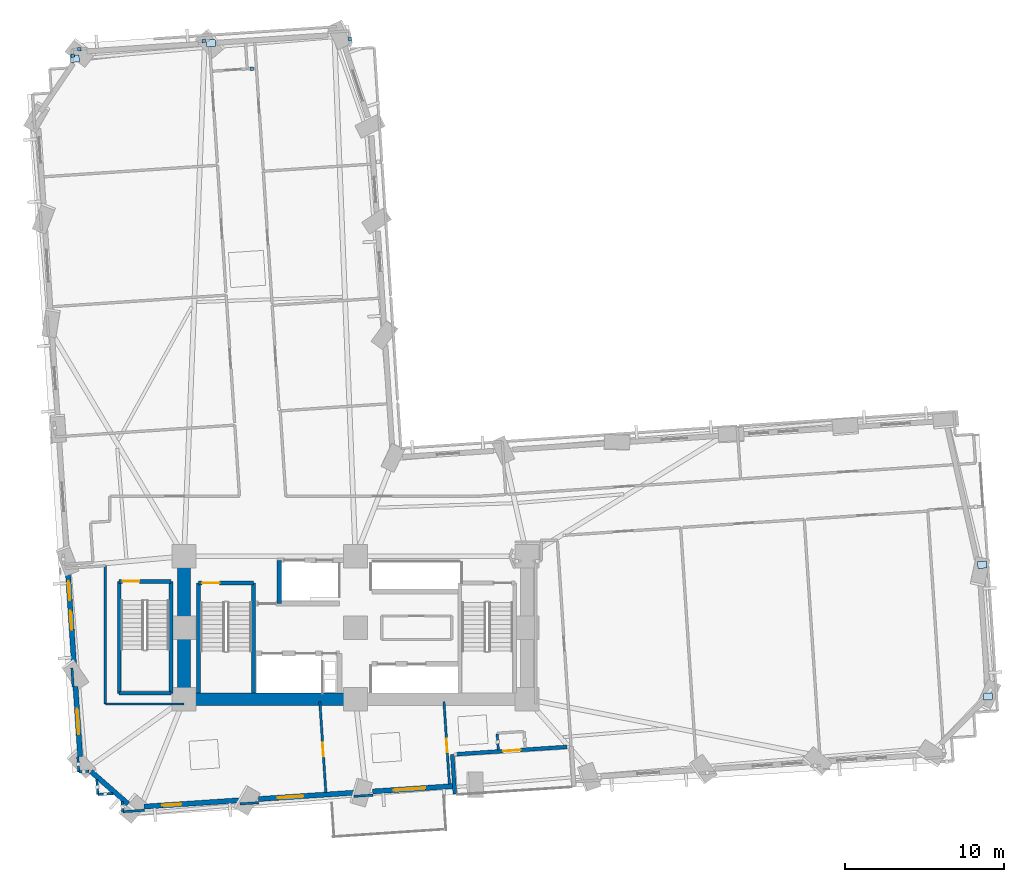
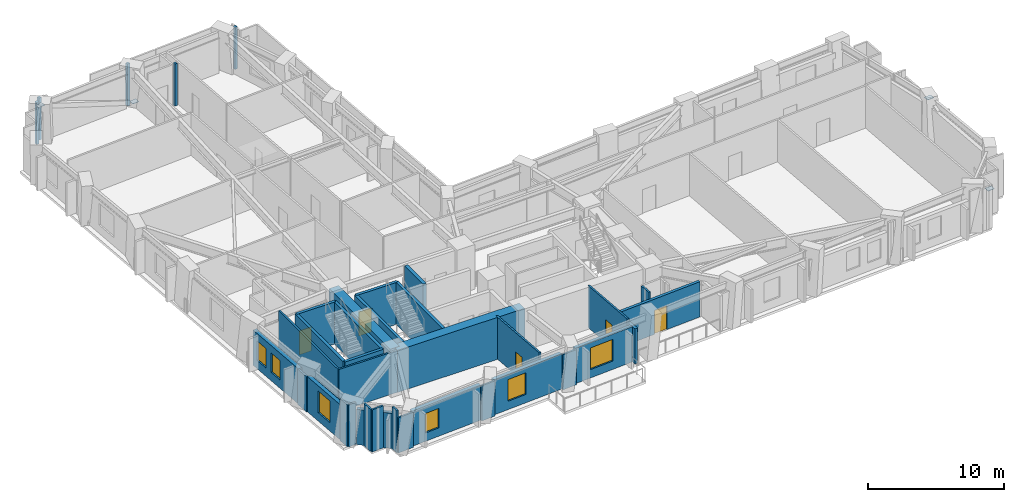
# One storey, part 6 of 14: 32 walls, 9 plates, 6 windows, 5 doors, 11 openings.
"""IFC4 building model written with IfcOpenShell, lengths in metres."""

from ifc_helpers import new_model, si_unit, direction, frame, frame_2d, origin, origin_2d, place, context, subcontext, project, spatial, rectangle, extrude, material, layer, layer_set, type_object, element, fill, save


model = new_model("IFC4")

# Units and contexts
model_context = context("Model", 3, precision=1e-05, world=origin(), true_north=direction((0.0, 1.0)))
body_context = subcontext(model_context, "Body", "Model", "MODEL_VIEW")
ifc_project = project(units=[si_unit("LENGTHUNIT", "METRE"), si_unit("AREAUNIT", "SQUARE_METRE"), si_unit("VOLUMEUNIT", "CUBIC_METRE"), si_unit("PLANEANGLEUNIT", "RADIAN"), si_unit("MASSUNIT", "GRAM", prefix="KILO")], contexts=[model_context])

# Site, building, storey
site_placement = place(None, origin())
site = spatial("IfcSite", under=ifc_project, at=site_placement, CompositionType="ELEMENT")
building_placement = place(site_placement, origin())
building = spatial("IfcBuilding", under=site, at=building_placement, Name="Gaonmaruhae Medical Tower", CompositionType="ELEMENT")
storey_placement = place(building_placement, frame((0.0, 0.0, 39.0)))
storey = spatial("IfcBuildingStorey", under=building, at=storey_placement, Name="L08", CompositionType="ELEMENT", Elevation=39.0)

# Plates
ifc_material_1 = material(Name="Steel HSA650 (650 MPa)", Category="steel")
ifc_layer_1 = layer(ifc_material_1, 0.028076171875)
ifc_layer_set_1 = layer_set([ifc_layer_1], Name="Steel HSA650 (650 MPa)")
plate_type_1 = type_object("IfcPlateType", Name="GP-02 Tube Brace End Cap Gusset Plate", PredefinedType="USERDEFINED", material=ifc_layer_set_1)
for number, where, z_axis, x_axis, name in (
    (1, (64.633544921875, 7.9697265625, 0.23583984375), (0.0, 0.0, 1.0), (0.997801468292, 0.0662739004, 0.0), "L08 Gusset Cap Plate PLT-L08-PBR-E01A"),
    (2, (64.262451171875, 16.259765625, 3.51611328125), (0.0, 0.0, 1.0), (0.996565502498, 0.082808207512, 0.0), "L08 Gusset Cap Plate PLT-L08-PBR-E01B"),
    (3, (15.698974609375, 49.1171875, 0.23583984375), (0.0, 0.0, 1.0), (0.997801468292, 0.0662739004, 0.0), "L08 Gusset Cap Plate PLT-L08-PBR-N02A"),
    (4, (7.12646484375, 48.137939453125, 3.51611328125), (0.0, 0.0, 1.0), (0.996565502498, 0.082808207512, 0.0), "L08 Gusset Cap Plate PLT-L08-PBR-N02B"),
):
    element("IfcPlate", number, at=place(storey_placement, frame(where, z_axis=z_axis, x_axis=x_axis)), inside=storey, type_object=plate_type_1, Name=name, ObjectType="GUSSET_PLATE", PredefinedType="USERDEFINED", context=body_context, shape_type="SweptSolid", body=[
        extrude(rectangle(XDim=0.56005859375, YDim=0.43994140625, at=origin_2d()), origin(), (0.0, 0.0, 1.0), 0.028076171875),
    ])
ifc_material_2 = material(Name="Anodised aluminium 6063-T6", Category="aluminium")
ifc_layer_2 = layer(ifc_material_2, 0.011962890625)
ifc_layer_set_2 = layer_set([ifc_layer_2], Name="Anodised aluminium 6063-T6")
plate_type_2 = type_object("IfcPlateType", Name="PP-01 Interior Partition Corner Stiffener Plate", PredefinedType="SHEET", material=ifc_layer_set_2)
for number, where, z_axis, x_axis, name in (
    (5, (6.9814453125, 48.33642578125, 0.0), (0.0, 0.0, 1.0), (-0.065977843832, 0.997821088233, 0.0), "L08 Partition Corner Stiffener Plate PLT-L08-JGP-PW059"),
    (6, (7.41259765625, 48.737060546875, 0.0), (0.0, 0.0, 1.0), (0.997838326998, 0.065716612624, 0.0), "L08 Partition Corner Stiffener Plate PLT-L08-JGP-PW060"),
    (7, (15.237548828125, 49.256591796875, 0.0), (0.0, 0.0, 1.0), (0.997759630217, 0.066900824429, 0.0), "L08 Partition Corner Stiffener Plate PLT-L08-JGP-PW061"),
    (8, (24.450439453125, 49.37939453125, 0.0), (0.0, 0.0, 1.0), (0.066517707312, -0.997785244737, 0.0), "L08 Partition Corner Stiffener Plate PLT-L08-JGP-PW092"),
    (9, (18.262451171875, 47.508056640625, 0.0), (0.0, 0.0, 1.0), (-0.99917537251, -0.040602647325, 0.0), "L08 Partition Corner Stiffener Plate PLT-L08-JGP-PW097"),
):
    element("IfcPlate", number, at=place(storey_placement, frame(where, z_axis=z_axis, x_axis=x_axis)), inside=storey, type_object=plate_type_2, Name=name, PredefinedType="SHEET", context=body_context, shape_type="SweptSolid", body=[
        extrude(rectangle(XDim=0.219970703125, YDim=0.219970703125, at=origin_2d()), origin(), (0.0, 0.0, 1.0), 3.780029296875),
    ])

# Walls
ifc_material_3 = material(Name="Concrete C60/75", Category="concrete")
ifc_layer_3 = layer(ifc_material_3, 0.800048828125)
ifc_layer_set_3 = layer_set([ifc_layer_3], Name="Concrete C60/75")
wall_type_1 = type_object("IfcWallType", Name="CW-800 Lower Core Shear Wall", PredefinedType="SHEAR", material=ifc_layer_set_3)
wall_1_placement = place(storey_placement, frame((14.0, 7.800048828125, 0.0), z_axis=(0.0, 0.0, 1.0), x_axis=(1.0, 0.0, 0.0)))
element("IfcWall", 10, at=wall_1_placement, inside=storey, type_object=wall_type_1, Name="L08 Core Shear Wall CSW-S1", PredefinedType="SHEAR", context=body_context, shape_type="SweptSolid", body=[
    extrude(rectangle(XDim=10.800048828125, YDim=0.800048828125, at=frame_2d((5.39990234375, 0.0))), origin(), (0.0, 0.0, 1.0), 3.780029296875),
])
wall_2_placement = place(storey_placement, frame((14.0, 16.800048828125, 0.0), z_axis=(0.0, 0.0, 1.0), x_axis=(0.0, -1.0, 0.0)))
element("IfcWall", 11, at=wall_2_placement, inside=storey, type_object=wall_type_1, Name="L08 Core Shear Wall CSW-W1", PredefinedType="SHEAR", context=body_context, shape_type="SweptSolid", body=[
    extrude(rectangle(XDim=9.0, YDim=0.800048828125, at=frame_2d((4.5, 0.0))), origin(), (0.0, 0.0, 1.0), 3.780029296875),
])

# Wall, opening, door
ifc_material_4 = material(Name="Precast concrete C45/55", Category="concrete")
ifc_layer_4 = layer(ifc_material_4, 0.239990234375)
ifc_layer_set_4 = layer_set([ifc_layer_4], Name="Precast concrete C45/55")
wall_type_2 = type_object("IfcWallType", Name="EW-240 Ribbon & Shelter Insulated Precast Wall", PredefinedType="SOLIDWALL", material=ifc_layer_set_4)
wall_3_placement = place(storey_placement, frame((38.11865234375, 4.79541015625, 0.0), z_axis=(0.0, 0.0, 1.0), x_axis=(-0.997802198498, -0.066262905711, 0.0)))
wall_3 = element("IfcWall", 12, at=wall_3_placement, inside=storey, type_object=wall_type_2, Name="L08 Recessed Terrace Enclosure Wall TERB", PredefinedType="SOLIDWALL", context=body_context, shape_type="SweptSolid", body=[
    extrude(rectangle(XDim=6.9599609375, YDim=0.239990234375, at=frame_2d((3.47998046875, 0.0))), origin(), (0.0, 0.0, 1.0), 3.1650390625),
])
opening_1_placement = place(wall_3_placement, frame((2.929931640625, 0.0, 0.0)))
opening_1 = element("IfcOpeningElement", 13, at=opening_1_placement, cuts=wall_3, Name="Opening TD-01", PredefinedType="OPENING", context=body_context, shape_type="SweptSolid", body=[
    extrude(rectangle(XDim=1.10009765625, YDim=2.14990234375, at=frame_2d((0.550048828125, 1.074951171875))), frame((0.0, 0.1298828125, 0.0), z_axis=(0.0, -1.0, 0.0), x_axis=(1.0, 0.0, 0.0)), (0.0, 0.0, 1.0), 0.260009765625),
])
ifc_material_5 = material(Name="Anodised aluminium and toughened safety glass", Category="aluminium")
door_type_1 = type_object("IfcDoorType", Name="TD-01 Terrace & Sky Garden Glazed Door 1100x2150", OperationType="NOTDEFINED", PredefinedType="DOOR", material=ifc_material_5)
door_1_placement = place(opening_1_placement, origin())
door_1 = element("IfcDoor", 14, at=door_1_placement, inside=storey, type_object=door_type_1, Name="L08 Outdoor Terrace Access Door SLB-L08-TER", OperationType="SINGLE_SWING_RIGHT", OverallHeight=2.14990234375, OverallWidth=1.10009765625, PredefinedType="DOOR", context=body_context, shape_type="SweptSolid", body=[
    extrude(rectangle(XDim=1.10009765625, YDim=2.14990234375, at=frame_2d((0.550048828125, 1.074951171875))), frame((0.0, 0.02490234375, 0.0), z_axis=(0.0, -1.0, 0.0), x_axis=(1.0, 0.0, 0.0)), (0.0, 0.0, 1.0), 0.050048828125),
])
fill(opening_1, door_1)

# Wall
wall_4_placement = place(storey_placement, frame((30.89453125, 4.315673828125, 0.0), z_axis=(0.0, 0.0, 1.0), x_axis=(0.066311588215, -0.997798964355, 0.0)))
element("IfcWall", 15, at=wall_4_placement, inside=storey, type_object=wall_type_2, Name="L08 Recessed Terrace Enclosure Wall TERL", PredefinedType="SOLIDWALL", context=body_context, shape_type="SweptSolid", body=[
    extrude(rectangle(XDim=2.5, YDim=0.239990234375, at=frame_2d((1.25, 0.0))), origin(), (0.0, 0.0, 1.0), 3.1650390625),
])

# Wall, opening, window
ifc_layer_5 = layer(ifc_material_4, 0.320068359375)
ifc_layer_set_5 = layer_set([ifc_layer_5], Name="Precast concrete C45/55")
wall_type_3 = type_object("IfcWallType", Name="EW-320 Lower Precast Masonry-Frame Facade Wall", PredefinedType="SOLIDWALL", material=ifc_layer_set_5)
wall_5_placement = place(storey_placement, frame((17.507568359375, 1.43212890625, 0.0), z_axis=(0.0, 0.0, 1.0), x_axis=(-0.997801597336, -0.066271957523, 0.0)))
wall_5 = element("IfcWall", 16, at=wall_5_placement, inside=storey, type_object=wall_type_3, Name="L08 Precast Masonry-Frame Wall S01-S02", PredefinedType="SOLIDWALL", context=body_context, shape_type="SweptSolid", body=[
    extrude(rectangle(XDim=6.0341796875, YDim=0.320068359375, at=frame_2d((3.01708984375, 0.0))), origin(), (0.0, 0.0, 1.0), 3.1650390625),
])
opening_2_placement = place(wall_5_placement, frame((3.691650390625, 0.0, 0.75)))
opening_2 = element("IfcOpeningElement", 17, at=opening_2_placement, cuts=wall_5, Name="Opening WN-05", PredefinedType="OPENING", context=body_context, shape_type="SweptSolid", body=[
    extrude(rectangle(XDim=1.199951171875, YDim=1.75, at=frame_2d((0.60009765625, 0.875))), frame((0.0, 0.169921875, 0.0), z_axis=(0.0, -1.0, 0.0), x_axis=(1.0, 0.0, 0.0)), (0.0, 0.0, 1.0), 0.340087890625),
])
ifc_material_6 = material(Name="Anodised aluminium and Low-E double glazing", Category="aluminium")
window_type_1 = type_object("IfcWindowType", Name="WN-05 Support & Staff Punched Window 1200x1750", PartitioningType="SINGLE_PANEL", PredefinedType="WINDOW", material=ifc_material_6)
window_1_placement = place(opening_2_placement, origin())
window_1 = element("IfcWindow", 18, at=window_1_placement, inside=storey, type_object=window_type_1, Name="L08 Modular Facade Window S01", OverallHeight=1.75, OverallWidth=1.199951171875, PartitioningType="SINGLE_PANEL", PredefinedType="WINDOW", context=body_context, shape_type="SweptSolid", body=[
    extrude(rectangle(XDim=1.199951171875, YDim=1.75, at=frame_2d((0.60009765625, 0.875))), frame((0.0, 0.030029296875, 0.0), z_axis=(0.0, -1.0, 0.0), x_axis=(1.0, 0.0, 0.0)), (0.0, 0.0, 1.0), 0.06005859375),
])
fill(opening_2, window_1)

wall_6_placement = place(storey_placement, frame((24.68017578125, 1.908447265625, 0.0), z_axis=(0.0, 0.0, 1.0), x_axis=(-0.997802391625, -0.066259997488, 0.0)))
wall_6 = element("IfcWall", 19, at=wall_6_placement, inside=storey, type_object=wall_type_3, Name="L08 Precast Masonry-Frame Wall S02-S03", PredefinedType="SOLIDWALL", context=body_context, shape_type="SweptSolid", body=[
    extrude(rectangle(XDim=6.005859375, YDim=0.320068359375, at=frame_2d((3.0029296875, 0.0))), origin(), (0.0, 0.0, 1.0), 3.1650390625),
])
opening_3_placement = place(wall_6_placement, frame((3.175537109375, 0.0, 0.75)))
opening_3 = element("IfcOpeningElement", 20, at=opening_3_placement, cuts=wall_6, Name="Opening WN-01", PredefinedType="OPENING", context=body_context, shape_type="SweptSolid", body=[
    extrude(rectangle(XDim=1.60009765625, YDim=1.949951171875, at=frame_2d((0.800048828125, 0.97509765625))), frame((0.0, 0.169921875, 0.0), z_axis=(0.0, -1.0, 0.0), x_axis=(1.0, 0.0, 0.0)), (0.0, 0.0, 1.0), 0.340087890625),
])
window_type_2 = type_object("IfcWindowType", Name="WN-01 Ward Punched Acoustic Window 1600x1950", PartitioningType="SINGLE_PANEL", PredefinedType="WINDOW", material=ifc_material_6)
window_2_placement = place(opening_3_placement, origin())
window_2 = element("IfcWindow", 21, at=window_2_placement, inside=storey, type_object=window_type_2, Name="L08 Modular Facade Window S02", OverallHeight=1.949951171875, OverallWidth=1.60009765625, PartitioningType="SINGLE_PANEL", PredefinedType="WINDOW", context=body_context, shape_type="SweptSolid", body=[
    extrude(rectangle(XDim=1.60009765625, YDim=1.949951171875, at=frame_2d((0.800048828125, 0.97509765625))), frame((0.0, 0.030029296875, 0.0), z_axis=(0.0, -1.0, 0.0), x_axis=(1.0, 0.0, 0.0)), (0.0, 0.0, 1.0), 0.06005859375),
])
fill(opening_3, window_2)

wall_7_placement = place(storey_placement, frame((31.006591796875, 2.32861328125, 0.0), z_axis=(0.0, 0.0, 1.0), x_axis=(-0.99780174443, -0.066269742805, 0.0)))
wall_7 = element("IfcWall", 22, at=wall_7_placement, inside=storey, type_object=wall_type_3, Name="L08 Precast Masonry-Frame Wall S03-S04", PredefinedType="SOLIDWALL", context=body_context, shape_type="SweptSolid", body=[
    extrude(rectangle(XDim=5.135498046875, YDim=0.320068359375, at=frame_2d((2.56787109375, 0.0))), origin(), (0.0, 0.0, 1.0), 3.1650390625),
])
opening_4_placement = place(wall_7_placement, frame((1.81298828125, 0.0, 0.75)))
opening_4 = element("IfcOpeningElement", 23, at=opening_4_placement, cuts=wall_7, Name="Opening WN-02", PredefinedType="OPENING", context=body_context, shape_type="SweptSolid", body=[
    extrude(rectangle(XDim=2.0, YDim=1.949951171875, at=frame_2d((1.0, 0.97509765625))), frame((0.0, 0.169921875, 0.0), z_axis=(0.0, -1.0, 0.0), x_axis=(1.0, 0.0, 0.0)), (0.0, 0.0, 1.0), 0.340087890625),
])
window_type_3 = type_object("IfcWindowType", Name="WN-02 Double-Bed Ward Punched Window 2000x1950", PartitioningType="SINGLE_PANEL", PredefinedType="WINDOW", material=ifc_material_6)
window_3_placement = place(opening_4_placement, origin())
window_3 = element("IfcWindow", 24, at=window_3_placement, inside=storey, type_object=window_type_3, Name="L08 Modular Facade Window S03", OverallHeight=1.949951171875, OverallWidth=2.0, PartitioningType="SINGLE_PANEL", PredefinedType="WINDOW", context=body_context, shape_type="SweptSolid", body=[
    extrude(rectangle(XDim=2.0, YDim=1.949951171875, at=frame_2d((1.0, 0.97509765625))), frame((0.0, 0.030029296875, 0.0), z_axis=(0.0, -1.0, 0.0), x_axis=(1.0, 0.0, 0.0)), (0.0, 0.0, 1.0), 0.06005859375),
])
fill(opening_4, window_3)

# Wall, openings, windows
wall_8_placement = place(storey_placement, frame((7.087158203125, 9.7802734375, 0.0), z_axis=(0.0, 0.0, 1.0), x_axis=(-0.06627582953, 0.997801340158, 0.0)))
wall_8 = element("IfcWall", 25, at=wall_8_placement, inside=storey, type_object=wall_type_3, Name="L08 Precast Masonry-Frame Wall W05-W06", PredefinedType="SOLIDWALL", context=body_context, shape_type="SweptSolid", body=[
    extrude(rectangle(XDim=5.9970703125, YDim=0.320068359375, at=frame_2d((2.99853515625, 0.0))), origin(), (0.0, 0.0, 1.0), 3.1650390625),
])
opening_5_placement = place(wall_8_placement, frame((2.400390625, 0.0, 0.75)))
opening_5 = element("IfcOpeningElement", 26, at=opening_5_placement, cuts=wall_8, Name="Opening WN-05", PredefinedType="OPENING", context=body_context, shape_type="SweptSolid", body=[
    extrude(rectangle(XDim=1.199951171875, YDim=1.75, at=frame_2d((0.60009765625, 0.875))), frame((0.0, 0.169921875, 0.0), z_axis=(0.0, -1.0, 0.0), x_axis=(1.0, 0.0, 0.0)), (0.0, 0.0, 1.0), 0.340087890625),
])
opening_6_placement = place(wall_8_placement, frame((4.26318359375, 0.0, 0.75)))
opening_6 = element("IfcOpeningElement", 27, at=opening_6_placement, cuts=wall_8, Name="Opening WN-05", PredefinedType="OPENING", context=body_context, shape_type="SweptSolid", body=[
    extrude(rectangle(XDim=1.199951171875, YDim=1.75, at=frame_2d((0.60009765625, 0.875))), frame((0.0, 0.169921875, 0.0), z_axis=(0.0, -1.0, 0.0), x_axis=(1.0, 0.0, 0.0)), (0.0, 0.0, 1.0), 0.340087890625),
])
window_4_placement = place(opening_5_placement, origin())
window_4 = element("IfcWindow", 28, at=window_4_placement, inside=storey, type_object=window_type_1, Name="L08 Modular Facade Window W05", OverallHeight=1.75, OverallWidth=1.199951171875, PartitioningType="SINGLE_PANEL", PredefinedType="WINDOW", context=body_context, shape_type="SweptSolid", body=[
    extrude(rectangle(XDim=1.199951171875, YDim=1.75, at=frame_2d((0.60009765625, 0.875))), frame((0.0, 0.030029296875, 0.0), z_axis=(0.0, -1.0, 0.0), x_axis=(1.0, 0.0, 0.0)), (0.0, 0.0, 1.0), 0.06005859375),
])
fill(opening_5, window_4)
window_5_placement = place(opening_6_placement, origin())
window_5 = element("IfcWindow", 29, at=window_5_placement, inside=storey, type_object=window_type_1, Name="L08 Modular Facade Window W05B", OverallHeight=1.75, OverallWidth=1.199951171875, PartitioningType="SINGLE_PANEL", PredefinedType="WINDOW", context=body_context, shape_type="SweptSolid", body=[
    extrude(rectangle(XDim=1.199951171875, YDim=1.75, at=frame_2d((0.60009765625, 0.875))), frame((0.0, 0.030029296875, 0.0), z_axis=(0.0, -1.0, 0.0), x_axis=(1.0, 0.0, 0.0)), (0.0, 0.0, 1.0), 0.06005859375),
])
fill(opening_6, window_5)

# Wall, opening, window
wall_9_placement = place(storey_placement, frame((7.458984375, 4.18212890625, 0.0), z_axis=(0.0, 0.0, 1.0), x_axis=(-0.066280522608, 0.997801028423, 0.0)))
wall_9 = element("IfcWall", 30, at=wall_9_placement, inside=storey, type_object=wall_type_3, Name="L08 Precast Masonry-Frame Wall W06-W07", PredefinedType="SOLIDWALL", context=body_context, shape_type="SweptSolid", body=[
    extrude(rectangle(XDim=4.41650390625, YDim=0.320068359375, at=frame_2d((2.208251953125, 0.0))), origin(), (0.0, 0.0, 1.0), 3.1650390625),
])
opening_7_placement = place(wall_9_placement, frame((1.41064453125, 0.0, 0.75)))
opening_7 = element("IfcOpeningElement", 31, at=opening_7_placement, cuts=wall_9, Name="Opening WN-01", PredefinedType="OPENING", context=body_context, shape_type="SweptSolid", body=[
    extrude(rectangle(XDim=1.60009765625, YDim=1.949951171875, at=frame_2d((0.800048828125, 0.97509765625))), frame((0.0, 0.169921875, 0.0), z_axis=(0.0, -1.0, 0.0), x_axis=(1.0, 0.0, 0.0)), (0.0, 0.0, 1.0), 0.340087890625),
])
window_6_placement = place(opening_7_placement, origin())
window_6 = element("IfcWindow", 32, at=window_6_placement, inside=storey, type_object=window_type_2, Name="L08 Modular Facade Window W06", OverallHeight=1.949951171875, OverallWidth=1.60009765625, PartitioningType="SINGLE_PANEL", PredefinedType="WINDOW", context=body_context, shape_type="SweptSolid", body=[
    extrude(rectangle(XDim=1.60009765625, YDim=1.949951171875, at=frame_2d((0.800048828125, 0.97509765625))), frame((0.0, 0.030029296875, 0.0), z_axis=(0.0, -1.0, 0.0), x_axis=(1.0, 0.0, 0.0)), (0.0, 0.0, 1.0), 0.06005859375),
])
fill(opening_7, window_6)

# Walls
wall_10_placement = place(storey_placement, frame((10.476806640625, 1.201904296875, 0.0), z_axis=(0.0, 0.0, 1.0), x_axis=(-0.752386346854, 0.658722084849, 0.0)))
element("IfcWall", 33, at=wall_10_placement, inside=storey, type_object=wall_type_3, Name="L08 Precast Masonry-Frame Wall W07-S01", PredefinedType="SOLIDWALL", context=body_context, shape_type="SweptSolid", body=[
    extrude(rectangle(XDim=3.09912109375, YDim=0.320068359375, at=frame_2d((1.549560546875, 0.0))), origin(), (0.0, 0.0, 1.0), 3.1650390625),
])
ifc_material_7 = material(Name="Gypsum board partition", Category="gypsum")
ifc_layer_6 = layer(ifc_material_7, 0.14990234375)
ifc_layer_set_6 = layer_set([ifc_layer_6], Name="Gypsum board partition")
wall_type_4 = type_object("IfcWallType", Name="PW-150 Rated Clinical Corridor Partition", PredefinedType="PARTITIONING", material=ifc_layer_set_6)
wall_11_placement = place(storey_placement, frame((9.050048828125, 16.2041015625, 0.0), z_axis=(0.0, 0.0, 1.0), x_axis=(0.0, -1.0, 0.0)))
element("IfcWall", 34, at=wall_11_placement, inside=storey, type_object=wall_type_4, Name="L08 Interior Partition L08-SUP01-5", PredefinedType="PARTITIONING", context=body_context, shape_type="SweptSolid", body=[
    extrude(rectangle(XDim=8.7041015625, YDim=0.14990234375, at=frame_2d((4.35205078125, 0.0))), origin(), (0.0, 0.0, 1.0), 3.780029296875),
])
wall_12_placement = place(storey_placement, frame((9.050048828125, 7.5, 0.0), z_axis=(0.0, 0.0, 1.0), x_axis=(1.0, 0.0, 0.0)))
element("IfcWall", 35, at=wall_12_placement, inside=storey, type_object=wall_type_4, Name="L08 Interior Partition L08-SUP01-6", PredefinedType="PARTITIONING", context=body_context, shape_type="SweptSolid", body=[
    extrude(rectangle(XDim=4.949951171875, YDim=0.14990234375, at=frame_2d((2.47509765625, 0.0))), origin(), (0.0, 0.0, 1.0), 3.780029296875),
])
wall_13_placement = place(storey_placement, frame((11.501953125, 0.802978515625, 0.0), z_axis=(0.0, 0.0, 1.0), x_axis=(-0.997803390527, -0.066244953419, 0.0)))
element("IfcWall", 36, at=wall_13_placement, inside=storey, type_object=wall_type_4, Name="L08 Interior Partition L08-SUP01-8", PredefinedType="PARTITIONING", context=body_context, shape_type="SweptSolid", body=[
    extrude(rectangle(XDim=1.35986328125, YDim=0.14990234375, at=frame_2d((0.679931640625, 0.0))), origin(), (0.0, 0.0, 1.0), 3.1650390625),
])
wall_14_placement = place(storey_placement, frame((10.14501953125, 0.712890625, 0.0), z_axis=(0.0, 0.0, 1.0), x_axis=(-0.065757749467, 0.997835616915, 0.0)))
element("IfcWall", 37, at=wall_14_placement, inside=storey, type_object=wall_type_4, Name="L08 Interior Partition L08-SUP01-9", PredefinedType="PARTITIONING", context=body_context, shape_type="SweptSolid", body=[
    extrude(rectangle(XDim=0.638671875, YDim=0.14990234375, at=frame_2d((0.3193359375, 0.0))), origin(), (0.0, 0.0, 1.0), 3.780029296875),
])
wall_15_placement = place(storey_placement, frame((9.527099609375, 1.85400390625, 0.0), z_axis=(0.0, 0.0, 1.0), x_axis=(-0.997841116924, -0.065674236777, 0.0)))
element("IfcWall", 38, at=wall_15_placement, inside=storey, type_object=wall_type_4, Name="L08 Interior Partition L08-SUP01-10", PredefinedType="PARTITIONING", context=body_context, shape_type="SweptSolid", body=[
    extrude(rectangle(XDim=0.958984375, YDim=0.14990234375, at=frame_2d((0.4794921875, 0.0))), origin(), (0.0, 0.0, 1.0), 3.780029296875),
])
wall_16_placement = place(storey_placement, frame((8.570068359375, 1.791015625, 0.0), z_axis=(0.0, 0.0, 1.0), x_axis=(-0.066687948168, 0.997773880982, 0.0)))
element("IfcWall", 39, at=wall_16_placement, inside=storey, type_object=wall_type_4, Name="L08 Interior Partition L08-SUP01-11", PredefinedType="PARTITIONING", context=body_context, shape_type="SweptSolid", body=[
    extrude(rectangle(XDim=0.959228515625, YDim=0.14990234375, at=frame_2d((0.4794921875, 0.0))), origin(), (0.0, 0.0, 1.0), 3.780029296875),
])
wall_17_placement = place(storey_placement, frame((8.010986328125, 3.256103515625, 0.0), z_axis=(0.0, 0.0, 1.0), x_axis=(-0.997840567866, -0.06568257852, 0.0)))
element("IfcWall", 40, at=wall_17_placement, inside=storey, type_object=wall_type_4, Name="L08 Interior Partition L08-SUP01-12", PredefinedType="PARTITIONING", context=body_context, shape_type="SweptSolid", body=[
    extrude(rectangle(XDim=0.639404296875, YDim=0.14990234375, at=frame_2d((0.31982421875, 0.0))), origin(), (0.0, 0.0, 1.0), 3.780029296875),
])
wall_18_placement = place(storey_placement, frame((7.373046875, 3.214111328125, 0.0), z_axis=(0.0, 0.0, 1.0), x_axis=(-0.066620270472, 0.997778402032, 0.0)))
element("IfcWall", 41, at=wall_18_placement, inside=storey, type_object=wall_type_4, Name="L08 Interior Partition L08-SUP01-13", PredefinedType="PARTITIONING", context=body_context, shape_type="SweptSolid", body=[
    extrude(rectangle(XDim=0.960205078125, YDim=0.14990234375, at=frame_2d((0.47998046875, 0.0))), origin(), (0.0, 0.0, 1.0), 3.780029296875),
])
wall_19_placement = place(storey_placement, frame((7.01708984375, 8.5791015625, 0.0), z_axis=(0.0, 0.0, 1.0), x_axis=(-0.067089178032, 0.997746983053, 0.0)))
element("IfcWall", 42, at=wall_19_placement, inside=storey, type_object=wall_type_4, Name="L08 Interior Partition L08-SUP01-14", PredefinedType="PARTITIONING", context=body_context, shape_type="SweptSolid", body=[
    extrude(rectangle(XDim=1.193603515625, YDim=0.14990234375, at=frame_2d((0.5966796875, 0.0))), origin(), (0.0, 0.0, 1.0), 3.1650390625),
])
wall_20_placement = place(storey_placement, frame((18.702880859375, 1.281005859375, 0.0), z_axis=(0.0, 0.0, 1.0), x_axis=(-0.997815202021, -0.066066804189, 0.0)))
element("IfcWall", 43, at=wall_20_placement, inside=storey, type_object=wall_type_4, Name="L08 Interior Partition L08-SUP02-16", PredefinedType="PARTITIONING", context=body_context, shape_type="SweptSolid", body=[
    extrude(rectangle(XDim=1.1826171875, YDim=0.14990234375, at=frame_2d((0.59130859375, 0.0))), origin(), (0.0, 0.0, 1.0), 3.1650390625),
])

# Wall, opening, door
wall_21_placement = place(storey_placement, frame((22.552978515625, 7.639892578125, 0.0), z_axis=(0.0, 0.0, 1.0), x_axis=(0.066402954643, -0.997792888136, 0.0)))
wall_21 = element("IfcWall", 44, at=wall_21_placement, inside=storey, type_object=wall_type_4, Name="L08 Interior Partition L08-SUP02-17", PredefinedType="PARTITIONING", context=body_context, shape_type="SweptSolid", body=[
    extrude(rectangle(XDim=5.724609375, YDim=0.14990234375, at=frame_2d((2.8623046875, 0.0))), origin(), (0.0, 0.0, 1.0), 3.780029296875),
])
opening_8_placement = place(wall_21_placement, frame((2.5830078125, 0.0, 0.0)))
opening_8 = element("IfcOpeningElement", 45, at=opening_8_placement, cuts=wall_21, Name="Opening AD-01", PredefinedType="OPENING", context=body_context, shape_type="SweptSolid", body=[
    extrude(rectangle(XDim=0.860107421875, YDim=2.06005859375, at=frame_2d((0.43017578125, 1.030029296875))), frame((0.0, 0.0849609375, 0.0), z_axis=(0.0, -1.0, 0.0), x_axis=(1.0, 0.0, 0.0)), (0.0, 0.0, 1.0), 0.169921875),
])
ifc_material_8 = material(Name="Powder-coated steel access door", Category="steel")
door_type_2 = type_object("IfcDoorType", Name="AD-01 Riser & Closet Access Fire Door 860x2060", OperationType="NOTDEFINED", PredefinedType="DOOR", material=ifc_material_8)
door_2_placement = place(opening_8_placement, origin())
door_2 = element("IfcDoor", 46, at=door_2_placement, inside=storey, type_object=door_type_2, Name="L08 Clinical Biomedical Charting Office Sliding Door", OperationType="SLIDING_TO_LEFT", OverallHeight=2.06005859375, OverallWidth=0.860107421875, PredefinedType="DOOR", context=body_context, shape_type="SweptSolid", body=[
    extrude(rectangle(XDim=0.860107421875, YDim=2.06005859375, at=frame_2d((0.43017578125, 1.030029296875))), frame((0.0, 0.02490234375, 0.0), z_axis=(0.0, -1.0, 0.0), x_axis=(1.0, 0.0, 0.0)), (0.0, 0.0, 1.0), 0.050048828125),
])
fill(opening_8, door_2)

# Wall
wall_22_placement = place(storey_placement, frame((25.89794921875, 1.759033203125, 0.0), z_axis=(0.0, 0.0, 1.0), x_axis=(-0.997791426009, -0.066424921399, 0.0)))
element("IfcWall", 47, at=wall_22_placement, inside=storey, type_object=wall_type_4, Name="L08 Interior Partition L08-SUP03-18", PredefinedType="PARTITIONING", context=body_context, shape_type="SweptSolid", body=[
    extrude(rectangle(XDim=1.20556640625, YDim=0.14990234375, at=frame_2d((0.602783203125, 0.0))), origin(), (0.0, 0.0, 1.0), 3.1650390625),
])

# Wall, opening, door
wall_23_placement = place(storey_placement, frame((30.3701171875, 7.639892578125, 0.0), z_axis=(0.0, 0.0, 1.0), x_axis=(0.066260678422, -0.997802346407, 0.0)))
wall_23 = element("IfcWall", 48, at=wall_23_placement, inside=storey, type_object=wall_type_4, Name="L08 Interior Partition L08-SUP03-19", PredefinedType="PARTITIONING", context=body_context, shape_type="SweptSolid", body=[
    extrude(rectangle(XDim=5.206298828125, YDim=0.14990234375, at=frame_2d((2.60302734375, 0.0))), origin(), (0.0, 0.0, 1.0), 3.780029296875),
])
opening_9_placement = place(wall_23_placement, frame((2.32373046875, 0.0, 0.0)))
opening_9 = element("IfcOpeningElement", 49, at=opening_9_placement, cuts=wall_23, Name="Opening AD-01", PredefinedType="OPENING", context=body_context, shape_type="SweptSolid", body=[
    extrude(rectangle(XDim=0.860107421875, YDim=2.06005859375, at=frame_2d((0.43017578125, 1.030029296875))), frame((0.0, 0.0849609375, 0.0), z_axis=(0.0, -1.0, 0.0), x_axis=(1.0, 0.0, 0.0)), (0.0, 0.0, 1.0), 0.169921875),
])
door_3_placement = place(opening_9_placement, origin())
door_3 = element("IfcDoor", 50, at=door_3_placement, inside=storey, type_object=door_type_2, Name="L08 Clinical Biomedical Charting Office Sliding Door", OperationType="SLIDING_TO_LEFT", OverallHeight=2.06005859375, OverallWidth=0.860107421875, PredefinedType="DOOR", context=body_context, shape_type="SweptSolid", body=[
    extrude(rectangle(XDim=0.860107421875, YDim=2.06005859375, at=frame_2d((0.43017578125, 1.030029296875))), frame((0.0, 0.02490234375, 0.0), z_axis=(0.0, -1.0, 0.0), x_axis=(1.0, 0.0, 0.0)), (0.0, 0.0, 1.0), 0.050048828125),
])
fill(opening_9, door_3)

# Wall
wall_24_placement = place(storey_placement, frame((33.72509765625, 5.60595703125, 0.0), z_axis=(0.0, 0.0, 1.0), x_axis=(0.06655125223, -0.997783007886, 0.0)))
element("IfcWall", 51, at=wall_24_placement, inside=storey, type_object=wall_type_4, Name="L08 Interior Partition L08-SUP04-31", PredefinedType="PARTITIONING", context=body_context, shape_type="SweptSolid", body=[
    extrude(rectangle(XDim=1.005126953125, YDim=0.14990234375, at=frame_2d((0.50244140625, 0.0))), origin(), (0.0, 0.0, 1.0), 3.780029296875),
])

# Wall, opening, door
ifc_material_9 = material(Name="Concrete C50/60", Category="concrete")
ifc_layer_7 = layer(ifc_material_9, 0.239990234375)
ifc_layer_set_7 = layer_set([ifc_layer_7], Name="Concrete C50/60")
wall_type_5 = type_object("IfcWallType", Name="SW-240 Dogleg Stair Tight Shaft Wall", PredefinedType="SOLIDWALL", material=ifc_layer_set_7)
wall_25_placement = place(storey_placement, frame((14.919921875, 15.1201171875, 0.0), z_axis=(0.0, 0.0, 1.0), x_axis=(1.0, 0.0, 0.0)))
wall_25 = element("IfcWall", 52, at=wall_25_placement, inside=storey, type_object=wall_type_5, Name="L08 ST-01 Stair Shaft Wall SHW-ST-01-N", PredefinedType="SOLIDWALL", context=body_context, shape_type="SweptSolid", body=[
    extrude(rectangle(XDim=3.4599609375, YDim=0.239990234375, at=frame_2d((1.72998046875, 0.0))), origin(), (0.0, 0.0, 1.0), 3.780029296875),
])
opening_10_placement = place(wall_25_placement, frame((0.219970703125, 0.0, 0.0)))
opening_10 = element("IfcOpeningElement", 53, at=opening_10_placement, cuts=wall_25, Name="Opening FD-01", PredefinedType="OPENING", context=body_context, shape_type="SweptSolid", body=[
    extrude(rectangle(XDim=1.10009765625, YDim=2.14990234375, at=frame_2d((0.550048828125, 1.074951171875))), frame((0.0, 0.1298828125, 0.0), z_axis=(0.0, -1.0, 0.0), x_axis=(1.0, 0.0, 0.0)), (0.0, 0.0, 1.0), 0.260009765625),
])
ifc_material_10 = material(Name="Powder-coated steel fire door", Category="steel")
door_type_3 = type_object("IfcDoorType", Name="FD-01 Escape Stair Protected Fire Door 1100x2150", OperationType="NOTDEFINED", PredefinedType="DOOR", material=ifc_material_10)
door_4_placement = place(opening_10_placement, origin())
door_4 = element("IfcDoor", 54, at=door_4_placement, inside=storey, type_object=door_type_3, Name="L08 ST-01 Protected Escape Stair Door", OperationType="SINGLE_SWING_RIGHT", OverallHeight=2.14990234375, OverallWidth=1.10009765625, PredefinedType="DOOR", context=body_context, shape_type="SweptSolid", body=[
    extrude(rectangle(XDim=1.10009765625, YDim=2.14990234375, at=frame_2d((0.550048828125, 1.074951171875))), frame((0.0, 0.02490234375, 0.0), z_axis=(0.0, -1.0, 0.0), x_axis=(1.0, 0.0, 0.0)), (0.0, 0.0, 1.0), 0.050048828125),
])
fill(opening_10, door_4)

# Walls
for number, where, z_axis, x_axis, name in (
    (55, (18.3798828125, 15.1201171875, 0.0), (0.0, 0.0, 1.0), (0.0, -1.0, 0.0), "L08 ST-01 Stair Shaft Wall SHW-ST-01-E"),
    (56, (14.919921875, 8.199951171875, 0.0), (0.0, 0.0, 1.0), (0.0, 1.0, 0.0), "L08 ST-01 Stair Shaft Wall SHW-ST-01-W"),
):
    element("IfcWall", number, at=place(storey_placement, frame(where, z_axis=z_axis, x_axis=x_axis)), inside=storey, type_object=wall_type_5, Name=name, PredefinedType="SOLIDWALL", context=body_context, shape_type="SweptSolid", body=[
        extrude(rectangle(XDim=6.920166015625, YDim=0.239990234375, at=frame_2d((3.4599609375, 0.0))), origin(), (0.0, 0.0, 1.0), 3.780029296875),
    ])

# Wall, opening, door
wall_26_placement = place(storey_placement, frame((9.919921875, 15.219970703125, 0.0), z_axis=(0.0, 0.0, 1.0), x_axis=(1.0, 0.0, 0.0)))
wall_26 = element("IfcWall", 57, at=wall_26_placement, inside=storey, type_object=wall_type_5, Name="L08 ST-03 Stair Shaft Wall SHW-ST-03-N", PredefinedType="SOLIDWALL", context=body_context, shape_type="SweptSolid", body=[
    extrude(rectangle(XDim=3.260009765625, YDim=0.239990234375, at=frame_2d((1.6298828125, 0.0))), origin(), (0.0, 0.0, 1.0), 3.780029296875),
])
opening_11_placement = place(wall_26_placement, frame((0.219970703125, 0.0, 0.0)))
opening_11 = element("IfcOpeningElement", 58, at=opening_11_placement, cuts=wall_26, Name="Opening FD-02", PredefinedType="OPENING", context=body_context, shape_type="SweptSolid", body=[
    extrude(rectangle(XDim=1.050048828125, YDim=2.14990234375, at=frame_2d((0.52490234375, 1.074951171875))), frame((0.0, 0.1298828125, 0.0), z_axis=(0.0, -1.0, 0.0), x_axis=(1.0, 0.0, 0.0)), (0.0, 0.0, 1.0), 0.260009765625),
])
door_type_4 = type_object("IfcDoorType", Name="FD-02 Secondary Stair Fire Door 1050x2150", OperationType="NOTDEFINED", PredefinedType="DOOR", material=ifc_material_10)
door_5_placement = place(opening_11_placement, origin())
door_5 = element("IfcDoor", 59, at=door_5_placement, inside=storey, type_object=door_type_4, Name="L08 ST-03 Protected Escape Stair Door", OperationType="SINGLE_SWING_RIGHT", OverallHeight=2.14990234375, OverallWidth=1.050048828125, PredefinedType="DOOR", context=body_context, shape_type="SweptSolid", body=[
    extrude(rectangle(XDim=1.050048828125, YDim=2.14990234375, at=frame_2d((0.52490234375, 1.074951171875))), frame((0.0, 0.02490234375, 0.0), z_axis=(0.0, -1.0, 0.0), x_axis=(1.0, 0.0, 0.0)), (0.0, 0.0, 1.0), 0.050048828125),
])
fill(opening_11, door_5)

# Walls
wall_27_placement = place(storey_placement, frame((13.179931640625, 15.219970703125, 0.0), z_axis=(0.0, 0.0, 1.0), x_axis=(0.0, -1.0, 0.0)))
element("IfcWall", 60, at=wall_27_placement, inside=storey, type_object=wall_type_5, Name="L08 ST-03 Stair Shaft Wall SHW-ST-03-E", PredefinedType="SOLIDWALL", context=body_context, shape_type="SweptSolid", body=[
    extrude(rectangle(XDim=7.050048828125, YDim=0.239990234375, at=frame_2d((3.52490234375, 0.0))), origin(), (0.0, 0.0, 1.0), 3.780029296875),
])
wall_28_placement = place(storey_placement, frame((13.179931640625, 8.169921875, 0.0), z_axis=(0.0, 0.0, 1.0), x_axis=(-1.0, 0.0, 0.0)))
element("IfcWall", 61, at=wall_28_placement, inside=storey, type_object=wall_type_5, Name="L08 ST-03 Stair Shaft Wall SHW-ST-03-S", PredefinedType="SOLIDWALL", context=body_context, shape_type="SweptSolid", body=[
    extrude(rectangle(XDim=3.260009765625, YDim=0.239990234375, at=frame_2d((1.6298828125, 0.0))), origin(), (0.0, 0.0, 1.0), 3.780029296875),
])
wall_29_placement = place(storey_placement, frame((9.919921875, 8.169921875, 0.0), z_axis=(0.0, 0.0, 1.0), x_axis=(0.0, 1.0, 0.0)))
element("IfcWall", 62, at=wall_29_placement, inside=storey, type_object=wall_type_5, Name="L08 ST-03 Stair Shaft Wall SHW-ST-03-W", PredefinedType="SOLIDWALL", context=body_context, shape_type="SweptSolid", body=[
    extrude(rectangle(XDim=7.050048828125, YDim=0.239990234375, at=frame_2d((3.52490234375, 0.0))), origin(), (0.0, 0.0, 1.0), 3.780029296875),
])
ifc_layer_8 = layer(ifc_material_9, 0.300048828125)
ifc_layer_set_8 = layer_set([ifc_layer_8], Name="Concrete C50/60")
wall_type_6 = type_object("IfcWallType", Name="SW-300 Stair & Lift Hoistway Shaft Wall", PredefinedType="SOLIDWALL", material=ifc_layer_set_8)
wall_30_placement = place(storey_placement, frame((20.0, 13.820068359375, 0.0), z_axis=(0.0, 0.0, 1.0), x_axis=(0.0, 1.0, 0.0)))
element("IfcWall", 63, at=wall_30_placement, inside=storey, type_object=wall_type_6, Name="L08 Shaft Enclosure Wall SHW-BDW", PredefinedType="SOLIDWALL", context=body_context, shape_type="SweptSolid", body=[
    extrude(rectangle(XDim=2.72998046875, YDim=0.300048828125, at=frame_2d((1.364990234375, 0.0))), origin(), (0.0, 0.0, 1.0), 3.780029296875),
])

save(model, "model.ifc")
